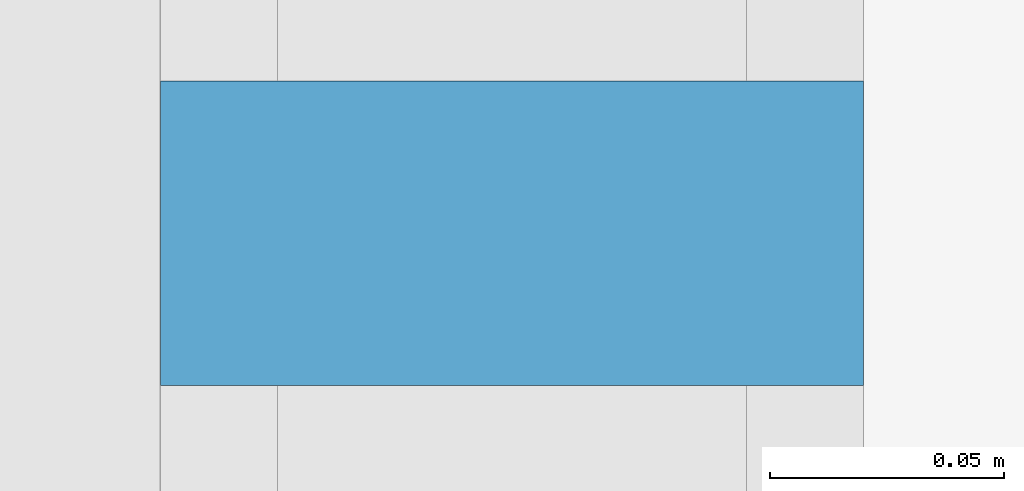
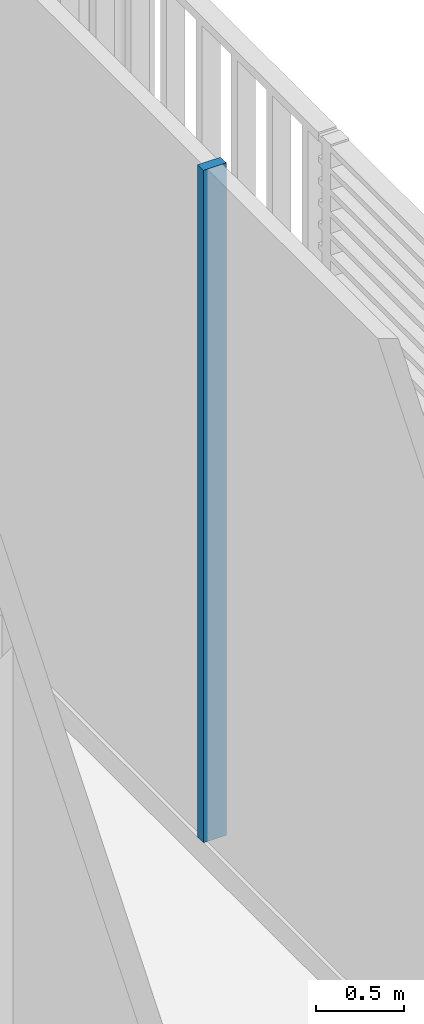
# One storey, part 11 of 22: 1 member, 1 element without a shape of its own.
"""IFC4 building model written with IfcOpenShell, lengths in metres."""

from ifc_helpers import new_model, si_unit, direction, frame, origin, origin_2d, place, context, subcontext, project, spatial, rectangle, extrude, material, layer, layer_set, material_profile, profile_set, type_object, element, aggregate, save


model = new_model("IFC4")

# Units and contexts
model_context = context("Model", 3, precision=1e-05, world=origin(), true_north=direction((0.0, 1.0)))
body_context = subcontext(model_context, "Body", "Model", "MODEL_VIEW")
ifc_project = project(units=[si_unit("LENGTHUNIT", "METRE"), si_unit("AREAUNIT", "SQUARE_METRE"), si_unit("VOLUMEUNIT", "CUBIC_METRE"), si_unit("PLANEANGLEUNIT", "RADIAN"), si_unit("MASSUNIT", "GRAM", prefix="KILO")], contexts=[model_context])

# Site, building, storey
site_placement = place(None, origin())
site = spatial("IfcSite", under=ifc_project, at=site_placement, CompositionType="ELEMENT")
building_placement = place(site_placement, origin())
building = spatial("IfcBuilding", under=site, at=building_placement, Name="Millrace Tower", CompositionType="ELEMENT")
storey_placement = place(building_placement, frame((0.0, 0.0, 40.10009765625)))
storey = spatial("IfcBuildingStorey", under=building, at=storey_placement, Name="L09", CompositionType="ELEMENT", Elevation=40.10009765625)

# Curtain wall, member
ifc_material_1 = material(Name="Aluminium and glass", Category="aluminium")
ifc_layer = layer(ifc_material_1, 0.14990234375)
ifc_layer_set = layer_set([ifc_layer], Name="Aluminium and glass")
curtain_wall_type = type_object("IfcCurtainWallType", Name="CW-2 data hall insulated curtain wall", PredefinedType="NOTDEFINED", material=ifc_layer_set)
curtain_wall_placement = place(storey_placement, origin())
curtain_wall = element("IfcCurtainWall", 1, at=curtain_wall_placement, inside=storey, type_object=curtain_wall_type, Name="Curtain wall A-F04 L09", PredefinedType="NOTDEFINED")
ifc_material_2 = material(Name="Aluminium", Category="aluminium")
ifc_material_profile = material_profile(ifc_material_2, rectangle(XDim=0.06494140625, YDim=0.14990234375, at=origin_2d()))
ifc_profile_set = profile_set([ifc_material_profile], Name="Aluminium")
member_type = type_object("IfcMemberType", Name="CW-2 data hall insulated curtain wall mullion", PredefinedType="MULLION", material=ifc_profile_set)
member_placement = place(storey_placement, frame((25.074951171875, 2.382568359375, 0.159912109375), z_axis=(0.0, 0.0, 1.0), x_axis=(0.0, 1.0, 0.0)))
member = element("IfcMember", 2, at=member_placement, type_object=member_type, Name="CW2 mullion A-F04.6", PredefinedType="MULLION", context=body_context, shape_type="SweptSolid", body=[
    extrude(rectangle(XDim=0.06494140625, YDim=0.14990234375, at=origin_2d()), origin(), (0.0, 0.0, 1.0), 4.639892578125),
])
aggregate(curtain_wall, [member])

save(model, "model.ifc")
